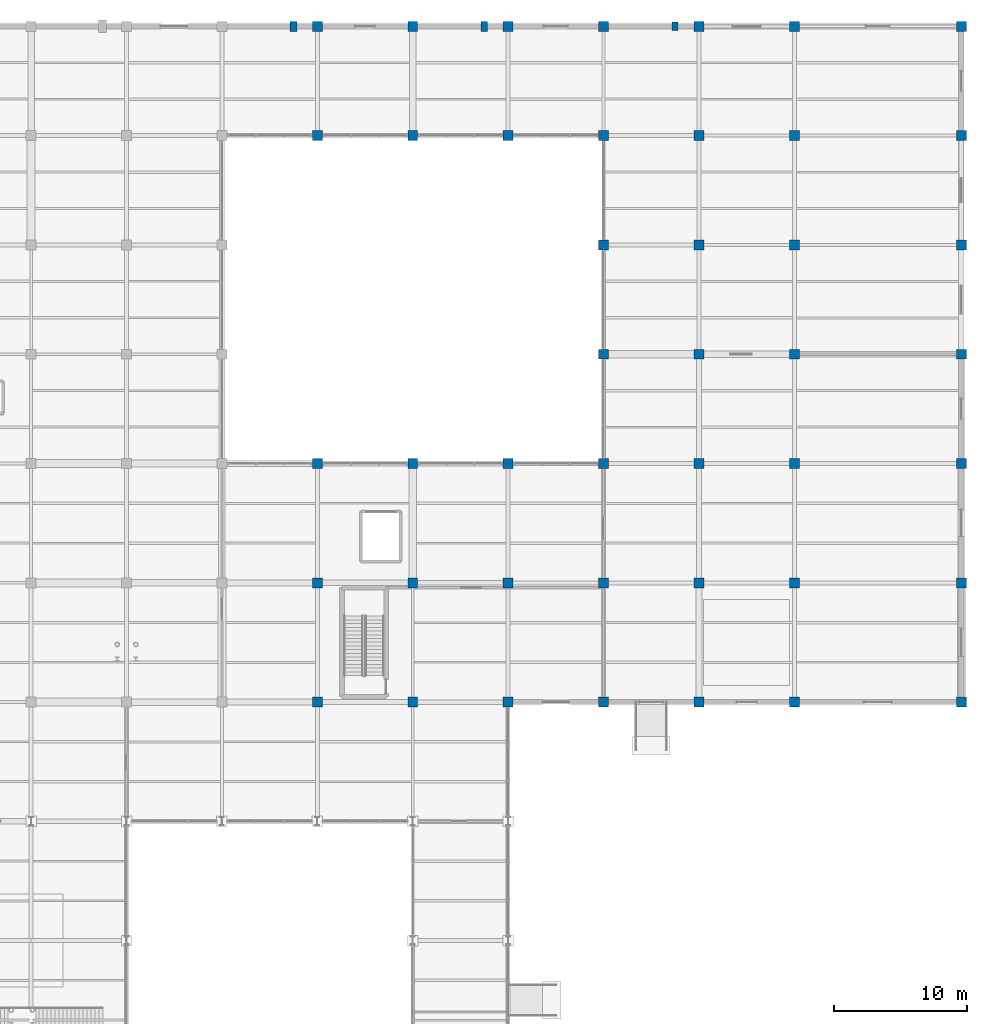
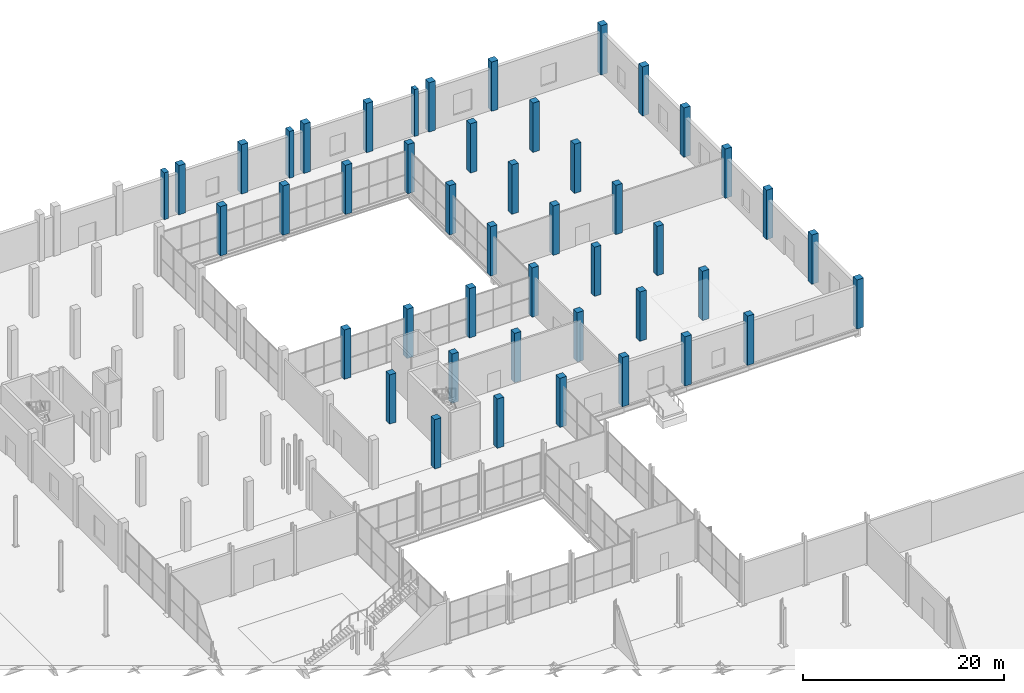
# One storey, part 14 of 144: 46 columns.
"""IFC4 building model written with IfcOpenShell, lengths in metres."""

from ifc_helpers import new_model, si_unit, direction, frame, origin, origin_2d, place, context, subcontext, project, spatial, rectangle, extrude, material, material_profile, profile_set, type_object, element, save


model = new_model("IFC4")

# Units and contexts
model_context = context("Model", 3, precision=1e-05, world=origin(), true_north=direction((0.0, 1.0)))
body_context = subcontext(model_context, "Body", "Model", "MODEL_VIEW")
ifc_project = project(units=[si_unit("LENGTHUNIT", "METRE"), si_unit("AREAUNIT", "SQUARE_METRE"), si_unit("VOLUMEUNIT", "CUBIC_METRE"), si_unit("PLANEANGLEUNIT", "RADIAN"), si_unit("MASSUNIT", "GRAM", prefix="KILO")], contexts=[model_context])

# Site, building, storey
site_placement = place(None, origin())
site = spatial("IfcSite", under=ifc_project, at=site_placement, CompositionType="ELEMENT")
building_placement = place(site_placement, origin())
building = spatial("IfcBuilding", under=site, at=building_placement, Name="Sundgate Opera House", CompositionType="ELEMENT")
storey_placement = place(building_placement, origin())
storey = spatial("IfcBuildingStorey", under=building, at=storey_placement, Name="L00", CompositionType="ELEMENT", Elevation=0.0)

# Columns
ifc_material_1 = material(Name="Concrete C40/50", Category="concrete")
ifc_material_profile_1 = material_profile(ifc_material_1, rectangle(XDim=0.75, YDim=0.75, at=origin_2d()), Name="RC 750x750")
ifc_profile_set_1 = profile_set([ifc_material_profile_1], Name="Concrete C40/50")
column_type_1 = type_object("IfcColumnType", Name="CL-RC-750", PredefinedType="COLUMN", material=ifc_profile_set_1)
for number, where, z_axis, x_axis, name in (
    (1, (131.39990234375, 69.0, 0.0), (0.0, 0.0, 1.0), (1.0, 0.0, 0.0), "L00 Column C0972"),
    (2, (131.39990234375, 78.0, 0.0), (0.0, 0.0, 1.0), (1.0, 0.0, 0.0), "L00 Column C0978"),
    (3, (131.39990234375, 87.0, 0.0), (0.0, 0.0, 1.0), (1.0, 0.0, 0.0), "L00 Column C0984"),
    (4, (131.39990234375, 111.75, 0.0), (0.0, 0.0, 1.0), (1.0, 0.0, 0.0), "L00 Column C0990"),
    (5, (131.39990234375, 120.0, 0.0), (0.0, 0.0, 1.0), (1.0, 0.0, 0.0), "L00 Column C0993"),
    (6, (138.60009765625, 69.0, 0.0), (0.0, 0.0, 1.0), (1.0, 0.0, 0.0), "L00 Column C1026"),
    (7, (138.60009765625, 78.0, 0.0), (0.0, 0.0, 1.0), (1.0, 0.0, 0.0), "L00 Column C1032"),
    (8, (138.60009765625, 87.0, 0.0), (0.0, 0.0, 1.0), (1.0, 0.0, 0.0), "L00 Column C1038"),
    (9, (138.60009765625, 111.75, 0.0), (0.0, 0.0, 1.0), (1.0, 0.0, 0.0), "L00 Column C1044"),
    (10, (138.60009765625, 120.0, 0.0), (0.0, 0.0, 1.0), (1.0, 0.0, 0.0), "L00 Column C1047"),
    (11, (145.800048828125, 69.0, 0.0), (0.0, 0.0, 1.0), (1.0, 0.0, 0.0), "L00 Column C1080"),
    (12, (145.800048828125, 78.0, 0.0), (0.0, 0.0, 1.0), (1.0, 0.0, 0.0), "L00 Column C1086"),
    (13, (145.800048828125, 87.0, 0.0), (0.0, 0.0, 1.0), (1.0, 0.0, 0.0), "L00 Column C1092"),
    (14, (145.800048828125, 111.75, 0.0), (0.0, 0.0, 1.0), (1.0, 0.0, 0.0), "L00 Column C1098"),
    (15, (145.800048828125, 120.0, 0.0), (0.0, 0.0, 1.0), (1.0, 0.0, 0.0), "L00 Column C1101"),
    (16, (153.0, 69.0, 0.0), (0.0, 0.0, 1.0), (1.0, 0.0, 0.0), "L00 Column C1123"),
    (17, (153.0, 78.0, 0.0), (0.0, 0.0, 1.0), (1.0, 0.0, 0.0), "L00 Column C1127"),
    (18, (153.0, 87.0, 0.0), (0.0, 0.0, 1.0), (1.0, 0.0, 0.0), "L00 Column C1131"),
    (19, (153.0, 95.25, 0.0), (0.0, 0.0, 1.0), (1.0, 0.0, 0.0), "L00 Column C1135"),
    (20, (153.0, 103.5, 0.0), (0.0, 0.0, 1.0), (1.0, 0.0, 0.0), "L00 Column C1139"),
    (21, (153.0, 111.75, 0.0), (0.0, 0.0, 1.0), (1.0, 0.0, 0.0), "L00 Column C1143"),
    (22, (153.0, 120.0, 0.0), (0.0, 0.0, 1.0), (1.0, 0.0, 0.0), "L00 Column C1147"),
    (23, (160.199951171875, 69.0, 0.0), (0.0, 0.0, 1.0), (1.0, 0.0, 0.0), "L00 Column C1165"),
    (24, (160.199951171875, 78.0, 0.0), (0.0, 0.0, 1.0), (1.0, 0.0, 0.0), "L00 Column C1169"),
    (25, (160.199951171875, 87.0, 0.0), (0.0, 0.0, 1.0), (1.0, 0.0, 0.0), "L00 Column C1173"),
    (26, (160.199951171875, 95.25, 0.0), (0.0, 0.0, 1.0), (1.0, 0.0, 0.0), "L00 Column C1177"),
    (27, (160.199951171875, 103.5, 0.0), (0.0, 0.0, 1.0), (1.0, 0.0, 0.0), "L00 Column C1181"),
    (28, (160.199951171875, 111.75, 0.0), (0.0, 0.0, 1.0), (1.0, 0.0, 0.0), "L00 Column C1185"),
    (29, (160.199951171875, 120.0, 0.0), (0.0, 0.0, 1.0), (1.0, 0.0, 0.0), "L00 Column C1189"),
    (30, (167.39990234375, 69.0, 0.0), (0.0, 0.0, 1.0), (1.0, 0.0, 0.0), "L00 Column C1198"),
    (31, (167.39990234375, 78.0, 0.0), (0.0, 0.0, 1.0), (1.0, 0.0, 0.0), "L00 Column C1202"),
    (32, (167.39990234375, 87.0, 0.0), (0.0, 0.0, 1.0), (1.0, 0.0, 0.0), "L00 Column C1206"),
    (33, (167.39990234375, 95.25, 0.0), (0.0, 0.0, 1.0), (1.0, 0.0, 0.0), "L00 Column C1210"),
    (34, (167.39990234375, 103.5, 0.0), (0.0, 0.0, 1.0), (1.0, 0.0, 0.0), "L00 Column C1214"),
    (35, (167.39990234375, 111.75, 0.0), (0.0, 0.0, 1.0), (1.0, 0.0, 0.0), "L00 Column C1218"),
    (36, (167.39990234375, 120.0, 0.0), (0.0, 0.0, 1.0), (1.0, 0.0, 0.0), "L00 Column C1222"),
    (37, (180.0, 69.0, 0.0), (0.0, 0.0, 1.0), (1.0, 0.0, 0.0), "L00 Column C1236"),
    (38, (180.0, 78.0, 0.0), (0.0, 0.0, 1.0), (1.0, 0.0, 0.0), "L00 Column C1238"),
    (39, (180.0, 87.0, 0.0), (0.0, 0.0, 1.0), (1.0, 0.0, 0.0), "L00 Column C1240"),
    (40, (180.0, 95.25, 0.0), (0.0, 0.0, 1.0), (1.0, 0.0, 0.0), "L00 Column C1242"),
    (41, (180.0, 103.5, 0.0), (0.0, 0.0, 1.0), (1.0, 0.0, 0.0), "L00 Column C1244"),
    (42, (180.0, 111.75, 0.0), (0.0, 0.0, 1.0), (1.0, 0.0, 0.0), "L00 Column C1246"),
    (43, (180.0, 120.0, 0.0), (0.0, 0.0, 1.0), (1.0, 0.0, 0.0), "L00 Column C1248"),
):
    element("IfcColumn", number, at=place(storey_placement, frame(where, z_axis=z_axis, x_axis=x_axis)), inside=storey, type_object=column_type_1, Name=name, PredefinedType="COLUMN", context=body_context, shape_type="SweptSolid", body=[
        extrude(rectangle(XDim=0.75, YDim=0.75, at=origin_2d()), origin(), (0.0, 0.0, 1.0), 6.0),
    ])
ifc_material_2 = material(Name="Precast concrete C40/50", Category="concrete")
ifc_material_profile_2 = material_profile(ifc_material_2, rectangle(XDim=0.449951171875, YDim=0.64990234375, at=origin_2d()), Name="RC 450x650")
ifc_profile_set_2 = profile_set([ifc_material_profile_2], Name="Precast concrete C40/50")
column_type_2 = type_object("IfcColumnType", Name="PL-RC-450", PredefinedType="PILASTER", material=ifc_profile_set_2)
column_placement = place(storey_placement, frame((158.39990234375, 120.0, 0.0), z_axis=(0.0, 0.0, 1.0), x_axis=(1.0, 0.0, 0.0)))
element("IfcColumn", 44, at=column_placement, inside=storey, type_object=column_type_2, Name="L00 Facade Pilaster C1262", PredefinedType="PILASTER", context=body_context, shape_type="SweptSolid", body=[
    extrude(rectangle(XDim=0.449951171875, YDim=0.64990234375, at=origin_2d()), origin(), (0.0, 0.0, 1.0), 5.699951171875),
])
ifc_material_3 = material(Name="Precast concrete C40/50", Category="concrete")
ifc_material_profile_3 = material_profile(ifc_material_3, rectangle(XDim=0.5, YDim=0.75, at=origin_2d()), Name="RC 500x750")
ifc_profile_set_3 = profile_set([ifc_material_profile_3], Name="Precast concrete C40/50")
column_type_3 = type_object("IfcColumnType", Name="PL-RC-500", PredefinedType="PILASTER", material=ifc_profile_set_3)
for number, where, z_axis, x_axis, name in (
    (45, (129.60009765625, 120.0, 0.0), (0.0, 0.0, 1.0), (1.0, 0.0, 0.0), "L00 Facade Pilaster C1256"),
    (46, (144.0, 120.0, 0.0), (0.0, 0.0, 1.0), (1.0, 0.0, 0.0), "L00 Facade Pilaster C1259"),
):
    element("IfcColumn", number, at=place(storey_placement, frame(where, z_axis=z_axis, x_axis=x_axis)), inside=storey, type_object=column_type_3, Name=name, PredefinedType="PILASTER", context=body_context, shape_type="SweptSolid", body=[
        extrude(rectangle(XDim=0.5, YDim=0.75, at=origin_2d()), origin(), (0.0, 0.0, 1.0), 5.699951171875),
    ])

save(model, "model.ifc")
